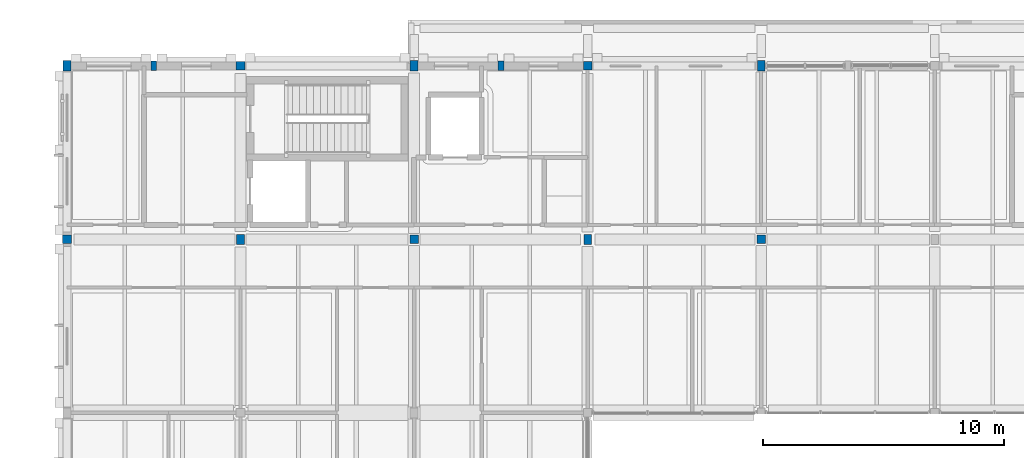
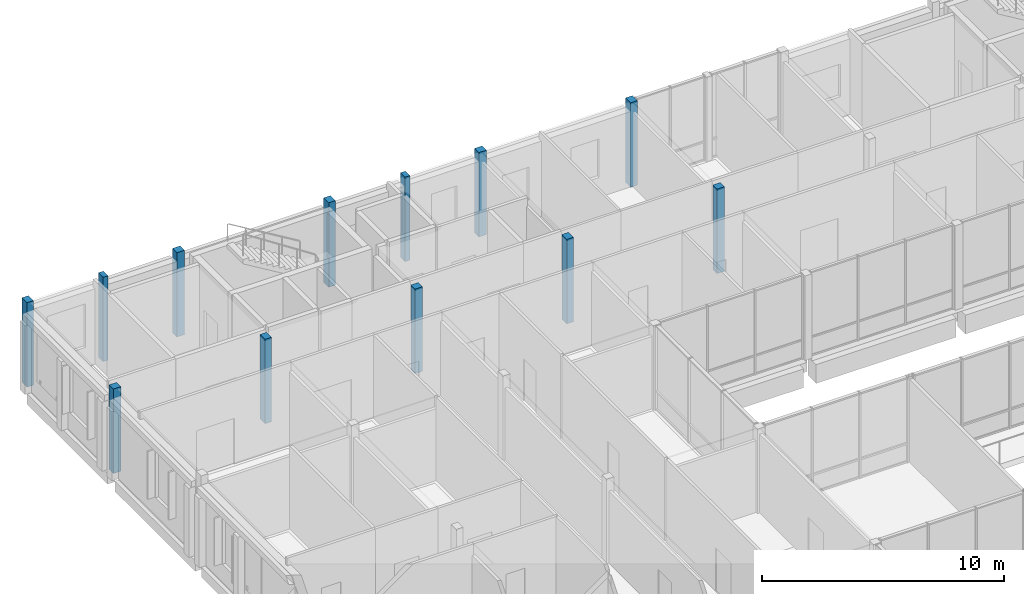
# One storey, part 7 of 146: 12 columns.
"""IFC4 building model written with IfcOpenShell, lengths in metres."""

from ifc_helpers import new_model, si_unit, direction, frame, origin, origin_2d, place, context, subcontext, project, spatial, rectangle, extrude, material, material_profile, profile_set, type_object, element, save


model = new_model("IFC4")

# Units and contexts
model_context = context("Model", 3, precision=1e-05, world=origin(), true_north=direction((0.0, 1.0)))
body_context = subcontext(model_context, "Body", "Model", "MODEL_VIEW")
ifc_project = project(units=[si_unit("LENGTHUNIT", "METRE"), si_unit("AREAUNIT", "SQUARE_METRE"), si_unit("VOLUMEUNIT", "CUBIC_METRE"), si_unit("PLANEANGLEUNIT", "RADIAN"), si_unit("MASSUNIT", "GRAM", prefix="KILO")], contexts=[model_context])

# Site, building, storey
site_placement = place(None, origin())
site = spatial("IfcSite", under=ifc_project, at=site_placement, CompositionType="ELEMENT")
building_placement = place(site_placement, origin())
building = spatial("IfcBuilding", under=site, at=building_placement, Name="Hawrajan Terrace Health Centre", CompositionType="ELEMENT")
storey_placement = place(building_placement, frame((0.0, 0.0, 4.5)))
storey = spatial("IfcBuildingStorey", under=building, at=storey_placement, Name="L01", CompositionType="ELEMENT", Elevation=4.5)

# Columns
ifc_material = material(Name="Glulam GL32h", Category="wood")
ifc_material_profile_1 = material_profile(ifc_material, rectangle(XDim=0.320068359375, YDim=0.419921875, at=origin_2d()), Name="GL 320x420")
ifc_profile_set_1 = profile_set([ifc_material_profile_1], Name="Glulam GL32h")
column_type_1 = type_object("IfcColumnType", Name="GlulamCol_320x420", PredefinedType="COLUMN", material=ifc_profile_set_1)
for number, where, z_axis, x_axis, name in (
    (1, (4.60009765625, 59.800048828125, 0.0), (0.0, 0.0, 1.0), (1.0, 0.0, 0.0), "Column COL-L01-W-X01-Y8"),
    (2, (11.800048828125, 52.60009765625, 0.0), (0.0, 0.0, 1.0), (1.0, 0.0, 0.0), "Column COL-L01-W-X02-Y7"),
    (3, (19.0, 59.800048828125, 0.0), (0.0, 0.0, 1.0), (1.0, 0.0, 0.0), "Column COL-L01-W-X03-Y8"),
    (4, (26.199951171875, 52.60009765625, 0.0), (0.0, 0.0, 1.0), (1.0, 0.0, 0.0), "Column COL-L01-W-X04-Y7"),
    (5, (33.39990234375, 59.800048828125, 0.0), (0.0, 0.0, 1.0), (1.0, 0.0, 0.0), "Column COL-L01-W-X05-Y8"),
):
    element("IfcColumn", number, at=place(storey_placement, frame(where, z_axis=z_axis, x_axis=x_axis)), inside=storey, type_object=column_type_1, Name=name, PredefinedType="COLUMN", context=body_context, shape_type="SweptSolid", body=[
        extrude(rectangle(XDim=0.320068359375, YDim=0.419921875, at=origin_2d()), origin(), (0.0, 0.0, 1.0), 4.260009765625),
    ])
ifc_material_profile_2 = material_profile(ifc_material, rectangle(XDim=0.360107421875, YDim=0.360107421875, at=origin_2d()), Name="GL 360x360")
ifc_profile_set_2 = profile_set([ifc_material_profile_2], Name="Glulam GL32h")
column_type_2 = type_object("IfcColumnType", Name="GlulamCol_360x360", PredefinedType="COLUMN", material=ifc_profile_set_2)
for number, where, z_axis, x_axis, name in (
    (6, (4.60009765625, 52.60009765625, 0.0), (0.0, 0.0, 1.0), (1.0, 0.0, 0.0), "Column COL-L01-W-X01-Y7"),
    (7, (11.800048828125, 59.800048828125, 0.0), (0.0, 0.0, 1.0), (1.0, 0.0, 0.0), "Column COL-L01-W-X02-Y8"),
    (8, (19.0, 52.60009765625, 0.0), (0.0, 0.0, 1.0), (1.0, 0.0, 0.0), "Column COL-L01-W-X03-Y7"),
    (9, (26.199951171875, 59.800048828125, 0.0), (0.0, 0.0, 1.0), (1.0, 0.0, 0.0), "Column COL-L01-W-X04-Y8"),
    (10, (33.39990234375, 52.60009765625, 0.0), (0.0, 0.0, 1.0), (1.0, 0.0, 0.0), "Column COL-L01-W-X05-Y7"),
):
    element("IfcColumn", number, at=place(storey_placement, frame(where, z_axis=z_axis, x_axis=x_axis)), inside=storey, type_object=column_type_2, Name=name, PredefinedType="COLUMN", context=body_context, shape_type="SweptSolid", body=[
        extrude(rectangle(XDim=0.360107421875, YDim=0.360107421875, at=origin_2d()), origin(), (0.0, 0.0, 1.0), 4.260009765625),
    ])
ifc_material_profile_3 = material_profile(ifc_material, rectangle(XDim=0.239990234375, YDim=0.3798828125, at=origin_2d()), Name="GL PIL 240x380")
ifc_profile_set_3 = profile_set([ifc_material_profile_3], Name="Glulam GL32h")
column_type_3 = type_object("IfcColumnType", Name="GlulamPilaster_240x380", PredefinedType="PILASTER", material=ifc_profile_set_3)
for number, where, z_axis, x_axis, name in (
    (11, (8.199951171875, 59.800048828125, 0.0), (0.0, 0.0, 1.0), (1.0, 0.0, 0.0), "Art Deco fluted pilaster L01-01-Y8"),
    (12, (22.60009765625, 59.800048828125, 0.0), (0.0, 0.0, 1.0), (1.0, 0.0, 0.0), "Art Deco fluted pilaster L01-03-Y8"),
):
    element("IfcColumn", number, at=place(storey_placement, frame(where, z_axis=z_axis, x_axis=x_axis)), inside=storey, type_object=column_type_3, Name=name, PredefinedType="PILASTER", context=body_context, shape_type="SweptSolid", body=[
        extrude(rectangle(XDim=0.239990234375, YDim=0.3798828125, at=origin_2d()), origin(), (0.0, 0.0, 1.0), 4.260009765625),
    ])

save(model, "model.ifc")
